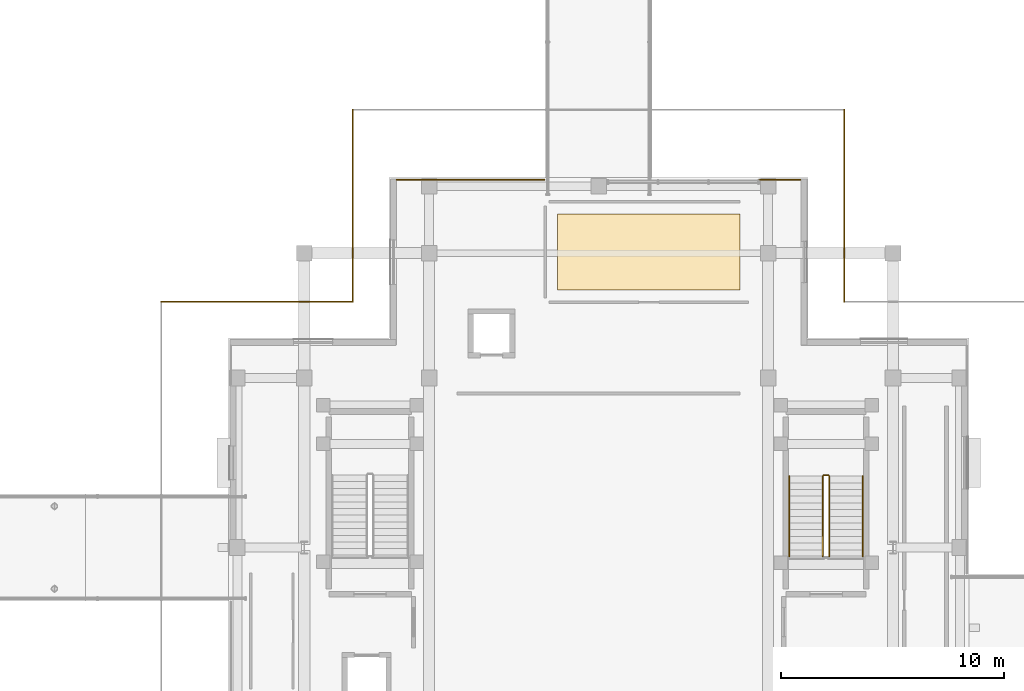
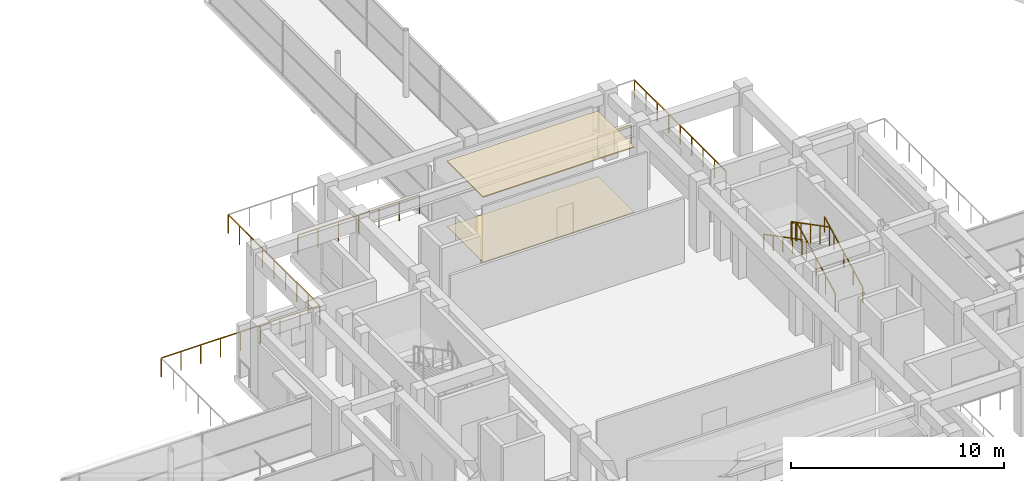
# One storey, part 45 of 53: 10 railings, 2 coverings.
"""IFC4 building model written with IfcOpenShell, lengths in metres."""

from ifc_helpers import new_model, si_unit, direction, frame, origin, origin_2d, place, context, subcontext, project, spatial, polyline, rectangle, outline, extrude, material, layer, layer_set, type_object, element, save


model = new_model("IFC4")

# Units and contexts
model_context = context("Model", 3, precision=1e-05, world=origin(), true_north=direction((0.0, 1.0)))
body_context = subcontext(model_context, "Body", "Model", "MODEL_VIEW")
ifc_project = project(units=[si_unit("LENGTHUNIT", "METRE"), si_unit("AREAUNIT", "SQUARE_METRE"), si_unit("VOLUMEUNIT", "CUBIC_METRE"), si_unit("PLANEANGLEUNIT", "RADIAN"), si_unit("MASSUNIT", "GRAM", prefix="KILO")], contexts=[model_context])

# Site, building, storey
site_placement = place(None, origin())
site = spatial("IfcSite", under=ifc_project, at=site_placement, CompositionType="ELEMENT")
building_placement = place(site_placement, origin())
building = spatial("IfcBuilding", under=site, at=building_placement, Name="Saryqyr Civic Hall", CompositionType="ELEMENT")
storey_placement = place(building_placement, frame((0.0, 0.0, 21.300048828125)))
storey = spatial("IfcBuildingStorey", under=building, at=storey_placement, Name="L05", CompositionType="ELEMENT", Elevation=21.300048828125)

# Railings
ifc_material_1 = material(Name="Stainless steel and laminated glass", Category="steel")
ifc_layer_1 = layer(ifc_material_1, 0.06005859375, Name="Stainless steel and laminated glass")
ifc_layer_set_1 = layer_set([ifc_layer_1], Name="Stainless steel and laminated glass")
railing_type_1 = type_object("IfcRailingType", Name="ENV-RLG-BAL-1100", PredefinedType="BALUSTRADE", material=ifc_layer_set_1)
railing_1_placement = place(storey_placement, frame((68.02001953125, 95.02001953125, 0.0)))
element("IfcRailing", 1, at=railing_1_placement, inside=storey, type_object=railing_type_1, Name="Perimeter safety balustrade V1-STEPG-L05-G06", PredefinedType="BALUSTRADE", context=body_context, shape_type="SweptSolid", body=[
    extrude(rectangle(XDim=0.048095703125, YDim=0.048095703125, at=origin_2d()), frame((0.0, 0.0, 1.076171875), z_axis=(0.0, 1.0, 0.0), x_axis=(-1.0, 0.0, 0.0)), (0.0, 0.0, 1.0), 8.60009765625),
    extrude(rectangle(XDim=0.0419921875, YDim=0.0419921875, at=origin_2d()), origin(), (0.0, 0.0, 1.0), 1.052001953125),
    extrude(rectangle(XDim=0.0419921875, YDim=0.0419921875, at=origin_2d()), frame((0.0, 1.074951171875, 0.0)), (0.0, 0.0, 1.0), 1.052001953125),
    extrude(rectangle(XDim=0.0419921875, YDim=0.0419921875, at=origin_2d()), frame((0.0, 2.14990234375, 0.0)), (0.0, 0.0, 1.0), 1.052001953125),
    extrude(rectangle(XDim=0.0419921875, YDim=0.0419921875, at=origin_2d()), frame((0.0, 3.22509765625, 0.0)), (0.0, 0.0, 1.0), 1.052001953125),
    extrude(rectangle(XDim=0.0419921875, YDim=0.0419921875, at=origin_2d()), frame((0.0, 4.300048828125, 0.0)), (0.0, 0.0, 1.0), 1.052001953125),
    extrude(rectangle(XDim=0.0419921875, YDim=0.0419921875, at=origin_2d()), frame((0.0, 5.375, 0.0)), (0.0, 0.0, 1.0), 1.052001953125),
    extrude(rectangle(XDim=0.0419921875, YDim=0.0419921875, at=origin_2d()), frame((0.0, 6.4501953125, 0.0)), (0.0, 0.0, 1.0), 1.052001953125),
    extrude(rectangle(XDim=0.0419921875, YDim=0.0419921875, at=origin_2d()), frame((0.0, 7.525146484375, 0.0)), (0.0, 0.0, 1.0), 1.052001953125),
    extrude(rectangle(XDim=0.0419921875, YDim=0.0419921875, at=origin_2d()), frame((0.0, 8.60009765625, 0.0)), (0.0, 0.0, 1.0), 1.052001953125),
])
railing_2_placement = place(storey_placement, frame((45.97998046875, 103.6201171875, 0.0)))
element("IfcRailing", 2, at=railing_2_placement, inside=storey, type_object=railing_type_1, Name="Perimeter safety balustrade V1-STEPG-L05-G08", PredefinedType="BALUSTRADE", context=body_context, shape_type="SweptSolid", body=[
    extrude(rectangle(XDim=0.048095703125, YDim=0.048095703125, at=origin_2d()), frame((0.0, 0.0, 1.076171875), z_axis=(0.0, -1.0, 0.0), x_axis=(1.0, 0.0, 0.0)), (0.0, 0.0, 1.0), 8.60009765625),
    extrude(rectangle(XDim=0.0419921875, YDim=0.0419921875, at=origin_2d()), origin(), (0.0, 0.0, 1.0), 1.052001953125),
    extrude(rectangle(XDim=0.0419921875, YDim=0.0419921875, at=origin_2d()), frame((0.0, -1.074951171875, 0.0)), (0.0, 0.0, 1.0), 1.052001953125),
    extrude(rectangle(XDim=0.0419921875, YDim=0.0419921875, at=origin_2d()), frame((0.0, -2.14990234375, 0.0)), (0.0, 0.0, 1.0), 1.052001953125),
    extrude(rectangle(XDim=0.0419921875, YDim=0.0419921875, at=origin_2d()), frame((0.0, -3.22509765625, 0.0)), (0.0, 0.0, 1.0), 1.052001953125),
    extrude(rectangle(XDim=0.0419921875, YDim=0.0419921875, at=origin_2d()), frame((0.0, -4.300048828125, 0.0)), (0.0, 0.0, 1.0), 1.052001953125),
    extrude(rectangle(XDim=0.0419921875, YDim=0.0419921875, at=origin_2d()), frame((0.0, -5.375, 0.0)), (0.0, 0.0, 1.0), 1.052001953125),
    extrude(rectangle(XDim=0.0419921875, YDim=0.0419921875, at=origin_2d()), frame((0.0, -6.4501953125, 0.0)), (0.0, 0.0, 1.0), 1.052001953125),
    extrude(rectangle(XDim=0.0419921875, YDim=0.0419921875, at=origin_2d()), frame((0.0, -7.525146484375, 0.0)), (0.0, 0.0, 1.0), 1.052001953125),
    extrude(rectangle(XDim=0.0419921875, YDim=0.0419921875, at=origin_2d()), frame((0.0, -8.60009765625, 0.0)), (0.0, 0.0, 1.0), 1.052001953125),
])
railing_3_placement = place(storey_placement, frame((45.97998046875, 95.02001953125, 0.0)))
element("IfcRailing", 3, at=railing_3_placement, inside=storey, type_object=railing_type_1, Name="Perimeter safety balustrade V1-STEPG-L05-G09", PredefinedType="BALUSTRADE", context=body_context, shape_type="SweptSolid", body=[
    extrude(rectangle(XDim=0.048095703125, YDim=0.048095703125, at=origin_2d()), frame((0.0, 0.0, 1.076171875), z_axis=(-1.0, 0.0, 0.0), x_axis=(0.0, -1.0, 0.0)), (0.0, 0.0, 1.0), 8.60009765625),
    extrude(rectangle(XDim=0.0419921875, YDim=0.0419921875, at=origin_2d()), origin(), (0.0, 0.0, 1.0), 1.052001953125),
    extrude(rectangle(XDim=0.0419921875, YDim=0.0419921875, at=origin_2d()), frame((-1.074951171875, 0.0, 0.0)), (0.0, 0.0, 1.0), 1.052001953125),
    extrude(rectangle(XDim=0.0419921875, YDim=0.0419921875, at=origin_2d()), frame((-2.14990234375, 0.0, 0.0)), (0.0, 0.0, 1.0), 1.052001953125),
    extrude(rectangle(XDim=0.0419921875, YDim=0.0419921875, at=origin_2d()), frame((-3.22509765625, 0.0, 0.0)), (0.0, 0.0, 1.0), 1.052001953125),
    extrude(rectangle(XDim=0.0419921875, YDim=0.0419921875, at=origin_2d()), frame((-4.300048828125, 0.0, 0.0)), (0.0, 0.0, 1.0), 1.052001953125),
    extrude(rectangle(XDim=0.0419921875, YDim=0.0419921875, at=origin_2d()), frame((-5.375, 0.0, 0.0)), (0.0, 0.0, 1.0), 1.052001953125),
    extrude(rectangle(XDim=0.0419921875, YDim=0.0419921875, at=origin_2d()), frame((-6.4501953125, 0.0, 0.0)), (0.0, 0.0, 1.0), 1.052001953125),
    extrude(rectangle(XDim=0.0419921875, YDim=0.0419921875, at=origin_2d()), frame((-7.525146484375, 0.0, 0.0)), (0.0, 0.0, 1.0), 1.052001953125),
    extrude(rectangle(XDim=0.0419921875, YDim=0.0419921875, at=origin_2d()), frame((-8.60009765625, 0.0, 0.0)), (0.0, 0.0, 1.0), 1.052001953125),
])

# Coverings
ifc_material_2 = material(Name="Mineral-fibre acoustic ceiling tile", Category="acoustic_tile")
ifc_layer_2 = layer(ifc_material_2, 0.06005859375, Name="Mineral-fibre acoustic ceiling tile")
ifc_layer_set_2 = layer_set([ifc_layer_2], Name="Mineral-fibre acoustic ceiling tile")
covering_type_1 = type_object("IfcCoveringType", Name="INT-COV-CEIL-60", PredefinedType="CEILING", material=ifc_layer_set_2)
covering_1_placement = place(storey_placement, frame((0.0, 0.0, 3.72998046875)))
element("IfcCovering", 4, at=covering_1_placement, inside=storey, type_object=covering_type_1, Name="Acoustic ceiling Presidium & Speakers' Retiring Suite", PredefinedType="CEILING", context=body_context, shape_type="SweptSolid", body=[
    extrude(outline(polyline([(55.14990234375, 95.550048828125), (55.14990234375, 98.949951171875), (63.35009765625, 98.949951171875), (63.35009765625, 95.550048828125), (55.14990234375, 95.550048828125)])), origin(), (0.0, 0.0, 1.0), 0.06005859375),
])
ifc_material_3 = material(Name="Polished terrazzo tile", Category="stone")
ifc_layer_3 = layer(ifc_material_3, 0.030029296875, Name="Polished terrazzo tile")
ifc_layer_set_3 = layer_set([ifc_layer_3], Name="Polished terrazzo tile")
covering_type_2 = type_object("IfcCoveringType", Name="INT-COV-FLR-30", PredefinedType="FLOORING", material=ifc_layer_set_3)
covering_2_placement = place(storey_placement, origin())
element("IfcCovering", 5, at=covering_2_placement, inside=storey, type_object=covering_type_2, Name="Polished terrazzo flooring Presidium & Speakers' Retiring Suite", PredefinedType="FLOORING", context=body_context, shape_type="SweptSolid", body=[
    extrude(outline(polyline([(55.14990234375, 95.550048828125), (55.14990234375, 98.949951171875), (63.35009765625, 98.949951171875), (63.35009765625, 95.550048828125), (55.14990234375, 95.550048828125)])), origin(), (0.0, 0.0, 1.0), 0.030029296875),
])

# Railings
ifc_material_4 = material(Name="Warm brushed brass and laminated glass", Category="glass")
ifc_layer_4 = layer(ifc_material_4, 0.06005859375, Name="Warm brushed brass and laminated glass")
ifc_layer_set_4 = layer_set([ifc_layer_4], Name="Warm brushed brass and laminated glass")
railing_type_2 = type_object("IfcRailingType", Name="INT-RLG-BAL-1100", PredefinedType="BALUSTRADE", material=ifc_layer_set_4)
railing_4_placement = place(storey_placement, frame((67.35009765625, 83.60009765625, 0.15576171875)))
element("IfcRailing", 6, at=railing_4_placement, inside=storey, type_object=railing_type_2, Name="L05 ST-2 stair guard 1", PredefinedType="BALUSTRADE", context=body_context, shape_type="SweptSolid", body=[
    extrude(rectangle(XDim=0.048095703125, YDim=0.048095703125, at=origin_2d()), frame((0.0, 0.0, 1.076171875), z_axis=(0.0, 0.887497496945, 0.460812535545), x_axis=(-1.0, 0.0, 0.0)), (0.0, 0.0, 1.0), 4.05615234375),
    extrude(rectangle(XDim=0.0419921875, YDim=0.0419921875, at=origin_2d()), origin(), (0.0, 0.0, 1.0), 1.052001953125),
    extrude(rectangle(XDim=0.0419921875, YDim=0.0419921875, at=origin_2d()), frame((0.0, 0.89990234375, 0.46728515625)), (0.0, 0.0, 1.0), 1.052001953125),
    extrude(rectangle(XDim=0.0419921875, YDim=0.0419921875, at=origin_2d()), frame((0.0, 1.7998046875, 0.9345703125)), (0.0, 0.0, 1.0), 1.052001953125),
    extrude(rectangle(XDim=0.0419921875, YDim=0.0419921875, at=origin_2d()), frame((0.0, 2.699951171875, 1.40185546875)), (0.0, 0.0, 1.0), 1.052001953125),
    extrude(rectangle(XDim=0.0419921875, YDim=0.0419921875, at=origin_2d()), frame((0.0, 3.599853515625, 1.869140625)), (0.0, 0.0, 1.0), 1.052001953125),
])
railing_5_placement = place(storey_placement, frame((67.300048828125, 87.25, 2.02490234375)))
element("IfcRailing", 7, at=railing_5_placement, inside=storey, type_object=railing_type_2, Name="L05 ST-2 stair guard 2", PredefinedType="BALUSTRADE", context=body_context, shape_type="SweptSolid", body=[
    extrude(rectangle(XDim=0.048095703125, YDim=0.048095703125, at=origin_2d()), frame((0.0, 0.0, 1.076171875), z_axis=(-1.0, 0.0, 0.0), x_axis=(0.0, -1.0, 0.0)), (0.0, 0.0, 1.0), 0.199951171875),
    extrude(rectangle(XDim=0.0419921875, YDim=0.0419921875, at=origin_2d()), origin(), (0.0, 0.0, 1.0), 1.052001953125),
    extrude(rectangle(XDim=0.0419921875, YDim=0.0419921875, at=origin_2d()), frame((-0.199951171875, 0.0, 0.0)), (0.0, 0.0, 1.0), 1.052001953125),
])
railing_6_placement = place(storey_placement, frame((67.050048828125, 87.199951171875, 2.1806640625)))
element("IfcRailing", 8, at=railing_6_placement, inside=storey, type_object=railing_type_2, Name="L05 ST-2 stair guard 3", PredefinedType="BALUSTRADE", context=body_context, shape_type="SweptSolid", body=[
    extrude(rectangle(XDim=0.048095703125, YDim=0.048095703125, at=origin_2d()), frame((0.0, 0.0, 1.076171875), z_axis=(0.0, -0.887472880572, 0.460859942119), x_axis=(1.0, 0.0, 0.0)), (0.0, 0.0, 1.0), 4.056396484375),
    extrude(rectangle(XDim=0.0419921875, YDim=0.0419921875, at=origin_2d()), origin(), (0.0, 0.0, 1.0), 1.052001953125),
    extrude(rectangle(XDim=0.0419921875, YDim=0.0419921875, at=origin_2d()), frame((0.0, -0.89990234375, 0.46728515625)), (0.0, 0.0, 1.0), 1.052001953125),
    extrude(rectangle(XDim=0.0419921875, YDim=0.0419921875, at=origin_2d()), frame((0.0, -1.7998046875, 0.9345703125)), (0.0, 0.0, 1.0), 1.052001953125),
    extrude(rectangle(XDim=0.0419921875, YDim=0.0419921875, at=origin_2d()), frame((0.0, -2.699951171875, 1.402099609375)), (0.0, 0.0, 1.0), 1.052001953125),
    extrude(rectangle(XDim=0.0419921875, YDim=0.0419921875, at=origin_2d()), frame((0.0, -3.599853515625, 1.869384765625)), (0.0, 0.0, 1.0), 1.052001953125),
])
railing_7_placement = place(storey_placement, frame((47.955078125, 100.5, 0.0)))
element("IfcRailing", 9, at=railing_7_placement, inside=storey, type_object=railing_type_2, Name="Interior deck safety balustrade L05-002", PredefinedType="BALUSTRADE", context=body_context, shape_type="SweptSolid", body=[
    extrude(rectangle(XDim=0.048095703125, YDim=0.048095703125, at=origin_2d()), frame((0.0, 0.0, 1.09619140625), z_axis=(1.0, 0.0, 0.0), x_axis=(0.0, 1.0, 0.0)), (0.0, 0.0, 1.0), 6.60498046875),
    extrude(rectangle(XDim=0.0419921875, YDim=0.0419921875, at=origin_2d()), origin(), (0.0, 0.0, 1.0), 1.072021484375),
    extrude(rectangle(XDim=0.0419921875, YDim=0.0419921875, at=origin_2d()), frame((1.100830078125, 0.0, 0.0)), (0.0, 0.0, 1.0), 1.072021484375),
    extrude(rectangle(XDim=0.0419921875, YDim=0.0419921875, at=origin_2d()), frame((2.20166015625, 0.0, 0.0)), (0.0, 0.0, 1.0), 1.072021484375),
    extrude(rectangle(XDim=0.0419921875, YDim=0.0419921875, at=origin_2d()), frame((3.302490234375, 0.0, 0.0)), (0.0, 0.0, 1.0), 1.072021484375),
    extrude(rectangle(XDim=0.0419921875, YDim=0.0419921875, at=origin_2d()), frame((4.4033203125, 0.0, 0.0)), (0.0, 0.0, 1.0), 1.072021484375),
    extrude(rectangle(XDim=0.0419921875, YDim=0.0419921875, at=origin_2d()), frame((5.504150390625, 0.0, 0.0)), (0.0, 0.0, 1.0), 1.072021484375),
    extrude(rectangle(XDim=0.0419921875, YDim=0.0419921875, at=origin_2d()), frame((6.60498046875, 0.0, 0.0)), (0.0, 0.0, 1.0), 1.072021484375),
])
railing_8_placement = place(storey_placement, frame((64.2099609375, 100.5, 0.0)))
element("IfcRailing", 10, at=railing_8_placement, inside=storey, type_object=railing_type_2, Name="Interior deck safety balustrade L05-006", PredefinedType="BALUSTRADE", context=body_context, shape_type="SweptSolid", body=[
    extrude(rectangle(XDim=0.048095703125, YDim=0.048095703125, at=origin_2d()), frame((0.0, 0.0, 1.09619140625), z_axis=(1.0, 0.0, 0.0), x_axis=(0.0, 1.0, 0.0)), (0.0, 0.0, 1.0), 1.8349609375),
    extrude(rectangle(XDim=0.0419921875, YDim=0.0419921875, at=origin_2d()), origin(), (0.0, 0.0, 1.0), 1.072021484375),
    extrude(rectangle(XDim=0.0419921875, YDim=0.0419921875, at=origin_2d()), frame((0.91748046875, 0.0, 0.0)), (0.0, 0.0, 1.0), 1.072021484375),
    extrude(rectangle(XDim=0.0419921875, YDim=0.0419921875, at=origin_2d()), frame((1.8349609375, 0.0, 0.0)), (0.0, 0.0, 1.0), 1.072021484375),
])
ifc_material_5 = material(Name="Stainless steel", Category="steel")
ifc_layer_5 = layer(ifc_material_5, 0.050048828125, Name="Stainless steel")
ifc_layer_set_5 = layer_set([ifc_layer_5], Name="Stainless steel")
railing_type_3 = type_object("IfcRailingType", Name="INT-RLG-HND-900", PredefinedType="HANDRAIL", material=ifc_layer_set_5)
railing_9_placement = place(storey_placement, frame((68.85009765625, 83.60009765625, 0.15576171875)))
element("IfcRailing", 11, at=railing_9_placement, inside=storey, type_object=railing_type_3, Name="L05 ST-2 stair handrail 1", PredefinedType="HANDRAIL", context=body_context, shape_type="SweptSolid", body=[
    extrude(rectangle(XDim=0.048095703125, YDim=0.048095703125, at=origin_2d()), frame((0.0, 0.0, 0.8759765625), z_axis=(0.0, 0.887497496945, 0.460812535545), x_axis=(-1.0, 0.0, 0.0)), (0.0, 0.0, 1.0), 4.05615234375),
    extrude(rectangle(XDim=0.0419921875, YDim=0.0419921875, at=origin_2d()), origin(), (0.0, 0.0, 1.0), 0.851806640625),
    extrude(rectangle(XDim=0.0419921875, YDim=0.0419921875, at=origin_2d()), frame((0.0, 0.89990234375, 0.46728515625)), (0.0, 0.0, 1.0), 0.851806640625),
    extrude(rectangle(XDim=0.0419921875, YDim=0.0419921875, at=origin_2d()), frame((0.0, 1.7998046875, 0.9345703125)), (0.0, 0.0, 1.0), 0.851806640625),
    extrude(rectangle(XDim=0.0419921875, YDim=0.0419921875, at=origin_2d()), frame((0.0, 2.699951171875, 1.40185546875)), (0.0, 0.0, 1.0), 0.851806640625),
    extrude(rectangle(XDim=0.0419921875, YDim=0.0419921875, at=origin_2d()), frame((0.0, 3.599853515625, 1.869140625)), (0.0, 0.0, 1.0), 0.851806640625),
])
railing_10_placement = place(storey_placement, frame((65.550048828125, 87.199951171875, 2.1806640625)))
element("IfcRailing", 12, at=railing_10_placement, inside=storey, type_object=railing_type_3, Name="L05 ST-2 stair handrail 2", PredefinedType="HANDRAIL", context=body_context, shape_type="SweptSolid", body=[
    extrude(rectangle(XDim=0.048095703125, YDim=0.048095703125, at=origin_2d()), frame((0.0, 0.0, 0.8759765625), z_axis=(0.0, -0.887472880572, 0.460859942119), x_axis=(1.0, 0.0, 0.0)), (0.0, 0.0, 1.0), 4.056396484375),
    extrude(rectangle(XDim=0.0419921875, YDim=0.0419921875, at=origin_2d()), origin(), (0.0, 0.0, 1.0), 0.851806640625),
    extrude(rectangle(XDim=0.0419921875, YDim=0.0419921875, at=origin_2d()), frame((0.0, -0.89990234375, 0.46728515625)), (0.0, 0.0, 1.0), 0.851806640625),
    extrude(rectangle(XDim=0.0419921875, YDim=0.0419921875, at=origin_2d()), frame((0.0, -1.7998046875, 0.9345703125)), (0.0, 0.0, 1.0), 0.851806640625),
    extrude(rectangle(XDim=0.0419921875, YDim=0.0419921875, at=origin_2d()), frame((0.0, -2.699951171875, 1.402099609375)), (0.0, 0.0, 1.0), 0.851806640625),
    extrude(rectangle(XDim=0.0419921875, YDim=0.0419921875, at=origin_2d()), frame((0.0, -3.599853515625, 1.869384765625)), (0.0, 0.0, 1.0), 0.851806640625),
])

save(model, "model.ifc")
